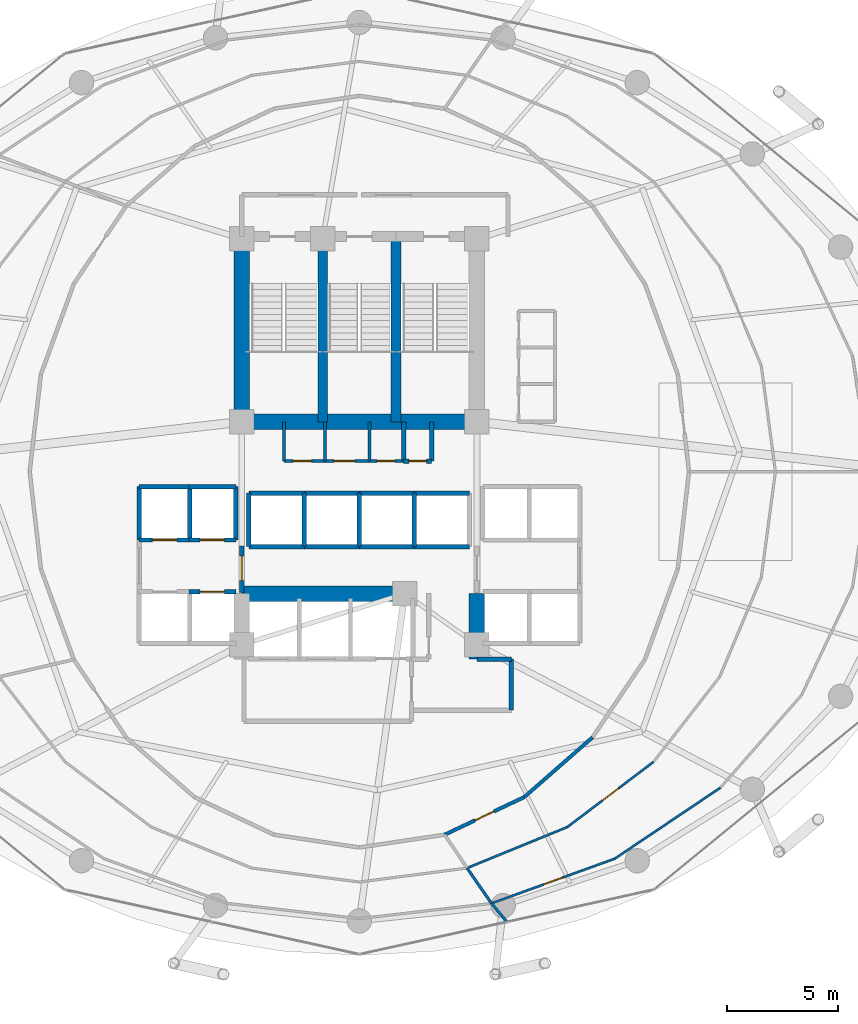
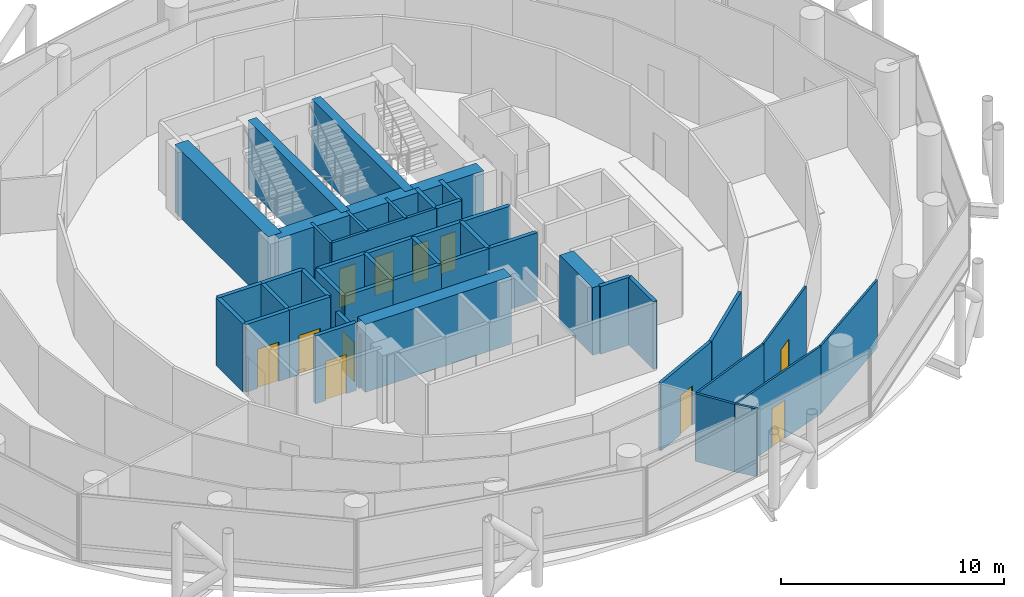
# One storey, part 22 of 27: 44 walls, 11 doors, 11 openings.
"""IFC4 building model written with IfcOpenShell, lengths in metres."""

from ifc_helpers import new_model, si_unit, direction, frame, frame_2d, origin, place, context, subcontext, project, spatial, rectangle, extrude, material, layer, layer_set, type_object, element, fill, save


model = new_model("IFC4")

# Units and contexts
model_context = context("Model", 3, precision=1e-05, world=origin(), true_north=direction((0.0, 1.0)))
body_context = subcontext(model_context, "Body", "Model", "MODEL_VIEW")
ifc_project = project(units=[si_unit("LENGTHUNIT", "METRE"), si_unit("AREAUNIT", "SQUARE_METRE"), si_unit("VOLUMEUNIT", "CUBIC_METRE"), si_unit("PLANEANGLEUNIT", "RADIAN"), si_unit("MASSUNIT", "GRAM", prefix="KILO")], contexts=[model_context])

# Site, building, storey
site_placement = place(None, origin())
site = spatial("IfcSite", under=ifc_project, at=site_placement, CompositionType="ELEMENT")
building_placement = place(site_placement, origin())
building = spatial("IfcBuilding", under=site, at=building_placement, Name="Nuhasar Tower", CompositionType="ELEMENT")
storey_placement = place(building_placement, frame((0.0, 0.0, 102.0)))
storey = spatial("IfcBuildingStorey", under=building, at=storey_placement, Name="L24", CompositionType="ELEMENT", Elevation=102.0)

# Walls
ifc_material_1 = material(Name="Concrete C50/60", Category="concrete")
ifc_layer_1 = layer(ifc_material_1, 0.449951171875)
ifc_layer_set_1 = layer_set([ifc_layer_1], Name="Concrete C50/60")
wall_type_1 = type_object("IfcWallType", Name="WL-CORE-450", PredefinedType="SHEAR", material=ifc_layer_set_1)
for number, where, z_axis, x_axis, name in (
    (1, (37.35009765625, 29.050048828125, 0.0), (0.0, 0.0, 1.0), (0.0, 1.0, 0.0), "L24 Stairwell Shear Wall ST01-E"),
    (2, (40.64990234375, 29.050048828125, 0.0), (0.0, 0.0, 1.0), (0.0, 1.0, 0.0), "L24 Stairwell Shear Wall ST03-E"),
):
    element("IfcWall", number, at=place(storey_placement, frame(where, z_axis=z_axis, x_axis=x_axis)), inside=storey, type_object=wall_type_1, Name=name, PredefinedType="SHEAR", context=body_context, shape_type="SweptSolid", body=[
        extrude(rectangle(XDim=8.349853515625, YDim=0.449951171875, at=frame_2d((4.1748046875, 0.0))), origin(), (0.0, 0.0, 1.0), 3.699951171875),
    ])
ifc_material_2 = material(Name="Concrete C65/80", Category="concrete")
ifc_layer_2 = layer(ifc_material_2, 0.699951171875)
ifc_layer_set_2 = layer_set([ifc_layer_2], Name="Concrete C65/80")
wall_type_2 = type_object("IfcWallType", Name="WL-CORE-700", PredefinedType="SHEAR", material=ifc_layer_set_2)
wall_1_placement = place(storey_placement, frame((33.699951171875, 29.050048828125, 0.0), z_axis=(0.0, 0.0, 1.0), x_axis=(0.0, 1.0, 0.0)))
element("IfcWall", 3, at=wall_1_placement, inside=storey, type_object=wall_type_2, Name="L24 Core Shear Wall CW-NW CW-700", PredefinedType="SHEAR", context=body_context, shape_type="SweptSolid", body=[
    extrude(rectangle(XDim=8.349853515625, YDim=0.699951171875, at=frame_2d((4.1748046875, 0.0))), origin(), (0.0, 0.0, 1.0), 3.699951171875),
])
wall_2_placement = place(storey_placement, frame((44.300048828125, 18.35009765625, 0.0), z_axis=(0.0, 0.0, 1.0), x_axis=(0.0, 1.0, 0.0)))
element("IfcWall", 4, at=wall_2_placement, inside=storey, type_object=wall_type_2, Name="L24 Core Shear Wall CW-SE CW-700", PredefinedType="SHEAR", context=body_context, shape_type="SweptSolid", body=[
    extrude(rectangle(XDim=2.949951171875, YDim=0.699951171875, at=frame_2d((1.47509765625, 0.0))), origin(), (0.0, 0.0, 1.0), 3.699951171875),
])
wall_3_placement = place(storey_placement, frame((33.699951171875, 29.050048828125, 0.0), z_axis=(0.0, 0.0, 1.0), x_axis=(1.0, 0.0, 0.0)))
element("IfcWall", 5, at=wall_3_placement, inside=storey, type_object=wall_type_2, Name="L24 Core Shear Wall CW-N1 CW-700", PredefinedType="SHEAR", context=body_context, shape_type="SweptSolid", body=[
    extrude(rectangle(XDim=10.60009765625, YDim=0.699951171875, at=frame_2d((5.300048828125, 0.0))), origin(), (0.0, 0.0, 1.0), 3.699951171875),
])
wall_4_placement = place(storey_placement, frame((33.699951171875, 21.300048828125, 0.0), z_axis=(0.0, 0.0, 1.0), x_axis=(1.0, 0.0, 0.0)))
element("IfcWall", 6, at=wall_4_placement, inside=storey, type_object=wall_type_2, Name="L24 Core Shear Wall CW-S1 CW-700", PredefinedType="SHEAR", context=body_context, shape_type="SweptSolid", body=[
    extrude(rectangle(XDim=7.550048828125, YDim=0.699951171875, at=frame_2d((3.77490234375, 0.0))), origin(), (0.0, 0.0, 1.0), 3.699951171875),
])

# Wall, opening, door
ifc_material_3 = material(Name="Gypsum Board", Category="gypsum")
ifc_layer_3 = layer(ifc_material_3, 0.159912109375)
ifc_layer_set_3 = layer_set([ifc_layer_3], Name="Gypsum Board")
wall_type_3 = type_object("IfcWallType", Name="WL-CORR-160", PredefinedType="PARTITIONING", material=ifc_layer_set_3)
wall_5_placement = place(storey_placement, frame((46.429931640625, 12.1298828125, 0.0), z_axis=(0.0, 0.0, 1.0), x_axis=(-0.904206361714, -0.427095838701, 0.0)))
wall_5 = element("IfcWall", 7, at=wall_5_placement, inside=storey, type_object=wall_type_3, Name="L24 Interior Partition CORR-38", PredefinedType="PARTITIONING", context=body_context, shape_type="SweptSolid", body=[
    extrude(rectangle(XDim=3.963623046875, YDim=0.159912109375, at=frame_2d((1.98193359375, 0.0))), origin(), (0.0, 0.0, 1.0), 3.699951171875),
])
opening_1_placement = place(wall_5_placement, frame((1.507080078125, 0.0, 0.0)))
opening_1 = element("IfcOpeningElement", 8, at=opening_1_placement, cuts=wall_5, Name="Opening DO-01", PredefinedType="OPENING", context=body_context, shape_type="SweptSolid", body=[
    extrude(rectangle(XDim=0.949951171875, YDim=2.14990234375, at=frame_2d((0.47509765625, 1.074951171875))), frame((0.0, 0.08984375, 0.0), z_axis=(0.0, -1.0, 0.0), x_axis=(1.0, 0.0, 0.0)), (0.0, 0.0, 1.0), 0.179931640625),
])
ifc_material_4 = material(Name="Timber Oak", Category="wood")
door_type_1 = type_object("IfcDoorType", Name="DR-OFFICE-FD30-950", OperationType="NOTDEFINED", PredefinedType="DOOR", material=ifc_material_4)
door_1_placement = place(opening_1_placement, origin())
door_1 = element("IfcDoor", 9, at=door_1_placement, inside=storey, type_object=door_type_1, Name="L24 Private Chef Pantry Entry Door", OperationType="SINGLE_SWING_RIGHT", OverallHeight=2.14990234375, OverallWidth=0.949951171875, PredefinedType="DOOR", context=body_context, shape_type="SweptSolid", body=[
    extrude(rectangle(XDim=0.949951171875, YDim=2.14990234375, at=frame_2d((0.47509765625, 1.074951171875))), frame((0.0, 0.02490234375, 0.0), z_axis=(0.0, -1.0, 0.0), x_axis=(1.0, 0.0, 0.0)), (0.0, 0.0, 1.0), 0.050048828125),
])
fill(opening_1, door_1)

# Wall
wall_6_placement = place(storey_placement, frame((46.429931640625, 12.1298828125, 0.0), z_axis=(0.0, 0.0, 1.0), x_axis=(0.752724610228, 0.658335523238, 0.0)))
element("IfcWall", 10, at=wall_6_placement, inside=storey, type_object=wall_type_3, Name="L24 Interior Partition CORR-40", PredefinedType="PARTITIONING", context=body_context, shape_type="SweptSolid", body=[
    extrude(rectangle(XDim=4.08935546875, YDim=0.159912109375, at=frame_2d((2.044677734375, 0.0))), origin(), (0.0, 0.0, 1.0), 3.699951171875),
])

# Wall, opening, door
ifc_material_5 = material(Name="Concrete C45/55", Category="concrete")
ifc_layer_4 = layer(ifc_material_5, 0.199951171875)
ifc_layer_set_4 = layer_set([ifc_layer_4], Name="Concrete C45/55")
wall_type_4 = type_object("IfcWallType", Name="WL-LOBBY-200", PredefinedType="SOLIDWALL", material=ifc_layer_set_4)
wall_7_placement = place(storey_placement, frame((33.699951171875, 21.35009765625, 0.0), z_axis=(0.0, 0.0, 1.0), x_axis=(0.0, 1.0, 0.0)))
wall_7 = element("IfcWall", 11, at=wall_7_placement, inside=storey, type_object=wall_type_4, Name="L24 Interior Partition LLBH-W", PredefinedType="SOLIDWALL", context=body_context, shape_type="SweptSolid", body=[
    extrude(rectangle(XDim=2.099853515625, YDim=0.199951171875, at=frame_2d((1.0498046875, 0.0))), origin(), (0.0, 0.0, 1.0), 2.919921875),
])
opening_2_placement = place(wall_7_placement, frame((0.550048828125, 0.0, 0.0)))
opening_2 = element("IfcOpeningElement", 12, at=opening_2_placement, cuts=wall_7, Name="Opening DS-02", PredefinedType="OPENING", context=body_context, shape_type="SweptSolid", body=[
    extrude(rectangle(XDim=1.10009765625, YDim=2.14990234375, at=frame_2d((0.550048828125, 1.074951171875))), frame((0.0, 0.10986328125, 0.0), z_axis=(0.0, -1.0, 0.0), x_axis=(1.0, 0.0, 0.0)), (0.0, 0.0, 1.0), 0.219970703125),
])
ifc_material_6 = material(Name="Steel S355", Category="steel")
door_type_2 = type_object("IfcDoorType", Name="DR-FFL-FD120-1100", OperationType="NOTDEFINED", PredefinedType="DOOR", material=ifc_material_6)
door_2_placement = place(opening_2_placement, origin())
door_2 = element("IfcDoor", 13, at=door_2_placement, inside=storey, type_object=door_type_2, Name="L24 High-Rise Lobby West Door", OperationType="SINGLE_SWING_RIGHT", OverallHeight=2.14990234375, OverallWidth=1.10009765625, PredefinedType="DOOR", context=body_context, shape_type="SweptSolid", body=[
    extrude(rectangle(XDim=1.10009765625, YDim=2.14990234375, at=frame_2d((0.550048828125, 1.074951171875))), frame((0.0, 0.02490234375, 0.0), z_axis=(0.0, -1.0, 0.0), x_axis=(1.0, 0.0, 0.0)), (0.0, 0.0, 1.0), 0.050048828125),
])
fill(opening_2, door_2)

# Walls
wall_8_placement = place(storey_placement, frame((45.85009765625, 16.050048828125, 0.0), z_axis=(0.0, 0.0, 1.0), x_axis=(0.0, 1.0, 0.0)))
element("IfcWall", 14, at=wall_8_placement, inside=storey, type_object=wall_type_4, Name="L24 Interior Partition SVLV-E", PredefinedType="SOLIDWALL", context=body_context, shape_type="SweptSolid", body=[
    extrude(rectangle(XDim=2.300048828125, YDim=0.199951171875, at=frame_2d((1.14990234375, 0.0))), origin(), (0.0, 0.0, 1.0), 3.699951171875),
])
wall_9_placement = place(storey_placement, frame((44.300048828125, 18.35009765625, 0.0), z_axis=(0.0, 0.0, 1.0), x_axis=(1.0, 0.0, 0.0)))
element("IfcWall", 15, at=wall_9_placement, inside=storey, type_object=wall_type_4, Name="L24 Interior Partition SVLV-N", PredefinedType="SOLIDWALL", context=body_context, shape_type="SweptSolid", body=[
    extrude(rectangle(XDim=1.550048828125, YDim=0.199951171875, at=frame_2d((0.77490234375, 0.0))), origin(), (0.0, 0.0, 1.0), 3.699951171875),
])
ifc_material_7 = material(Name="Aluminium 6063-T6", Category="aluminium")
ifc_layer_5 = layer(ifc_material_7, 0.10009765625)
ifc_layer_set_5 = layer_set([ifc_layer_5], Name="Aluminium 6063-T6")
wall_type_5 = type_object("IfcWallType", Name="WL-MOVABLE-100", PredefinedType="MOVABLE", material=ifc_layer_set_5)
wall_10_placement = place(storey_placement, frame((43.85400390625, 8.93408203125, 0.0), z_axis=(0.0, 0.0, 1.0), x_axis=(0.925718788243, 0.378212539577, 0.0)))
element("IfcWall", 16, at=wall_10_placement, inside=storey, type_object=wall_type_5, Name="L24 Interior Partition OR1-05-38", PredefinedType="MOVABLE", context=body_context, shape_type="SweptSolid", body=[
    extrude(rectangle(XDim=4.885986328125, YDim=0.10009765625, at=frame_2d((2.44287109375, 0.0))), origin(), (0.0, 0.0, 1.0), 3.699951171875),
])

# Wall, opening, door
wall_11_placement = place(storey_placement, frame((48.376953125, 10.781982421875, 0.0), z_axis=(0.0, 0.0, 1.0), x_axis=(0.797509354447, 0.603306580081, 0.0)))
wall_11 = element("IfcWall", 17, at=wall_11_placement, inside=storey, type_object=wall_type_5, Name="L24 Interior Partition OR1-05-40", PredefinedType="MOVABLE", context=body_context, shape_type="SweptSolid", body=[
    extrude(rectangle(XDim=4.871337890625, YDim=0.10009765625, at=frame_2d((2.435546875, 0.0))), origin(), (0.0, 0.0, 1.0), 3.699951171875),
])
opening_3_placement = place(wall_11_placement, frame((1.986083984375, 0.0, 0.0)))
opening_3 = element("IfcOpeningElement", 18, at=opening_3_placement, cuts=wall_11, Name="Opening DR-01", PredefinedType="OPENING", context=body_context, shape_type="SweptSolid", body=[
    extrude(rectangle(XDim=0.89990234375, YDim=2.10009765625, at=frame_2d((0.449951171875, 1.050048828125))), frame((0.0, 0.06005859375, 0.0), z_axis=(0.0, -1.0, 0.0), x_axis=(1.0, 0.0, 0.0)), (0.0, 0.0, 1.0), 0.1201171875),
])
door_type_3 = type_object("IfcDoorType", Name="DR-ROOM-900", OperationType="NOTDEFINED", PredefinedType="DOOR", material=ifc_material_4)
door_3_placement = place(opening_3_placement, origin())
door_3 = element("IfcDoor", 19, at=door_3_placement, inside=storey, type_object=door_type_3, Name="L24 Private Chef Pantry Mid Door", OperationType="SINGLE_SWING_LEFT", OverallHeight=2.10009765625, OverallWidth=0.89990234375, PredefinedType="DOOR", context=body_context, shape_type="SweptSolid", body=[
    extrude(rectangle(XDim=0.89990234375, YDim=2.10009765625, at=frame_2d((0.449951171875, 1.050048828125))), frame((0.0, 0.02490234375, 0.0), z_axis=(0.0, -1.0, 0.0), x_axis=(1.0, 0.0, 0.0)), (0.0, 0.0, 1.0), 0.050048828125),
])
fill(opening_3, door_3)

wall_12_placement = place(storey_placement, frame((44.95703125, 7.341064453125, 0.0), z_axis=(0.0, 0.0, 1.0), x_axis=(0.940117685929, 0.340850020689, 0.0)))
wall_12 = element("IfcWall", 20, at=wall_12_placement, inside=storey, type_object=wall_type_5, Name="L24 Interior Partition OR2-05-38", PredefinedType="MOVABLE", context=body_context, shape_type="SweptSolid", body=[
    extrude(rectangle(XDim=5.90576171875, YDim=0.10009765625, at=frame_2d((2.952880859375, 0.0))), origin(), (0.0, 0.0, 1.0), 3.699951171875),
])
opening_4_placement = place(wall_12_placement, frame((2.5029296875, 0.0, 0.0)))
opening_4 = element("IfcOpeningElement", 21, at=opening_4_placement, cuts=wall_12, Name="Opening DR-01", PredefinedType="OPENING", context=body_context, shape_type="SweptSolid", body=[
    extrude(rectangle(XDim=0.89990234375, YDim=2.10009765625, at=frame_2d((0.449951171875, 1.050048828125))), frame((0.0, 0.06005859375, 0.0), z_axis=(0.0, -1.0, 0.0), x_axis=(1.0, 0.0, 0.0)), (0.0, 0.0, 1.0), 0.1201171875),
])
door_4_placement = place(opening_4_placement, origin())
door_4 = element("IfcDoor", 22, at=door_4_placement, inside=storey, type_object=door_type_3, Name="L24 Private Chef Pantry Outer Door", OperationType="SINGLE_SWING_LEFT", OverallHeight=2.10009765625, OverallWidth=0.89990234375, PredefinedType="DOOR", context=body_context, shape_type="SweptSolid", body=[
    extrude(rectangle(XDim=0.89990234375, YDim=2.10009765625, at=frame_2d((0.449951171875, 1.050048828125))), frame((0.0, 0.02490234375, 0.0), z_axis=(0.0, -1.0, 0.0), x_axis=(1.0, 0.0, 0.0)), (0.0, 0.0, 1.0), 0.050048828125),
])
fill(opening_4, door_4)

# Walls
wall_13_placement = place(storey_placement, frame((50.509033203125, 9.35400390625, 0.0), z_axis=(0.0, 0.0, 1.0), x_axis=(0.830194424377, 0.557473961485, 0.0)))
element("IfcWall", 23, at=wall_13_placement, inside=storey, type_object=wall_type_5, Name="L24 Interior Partition OR2-05-40", PredefinedType="MOVABLE", context=body_context, shape_type="SweptSolid", body=[
    extrude(rectangle(XDim=5.741943359375, YDim=0.10009765625, at=frame_2d((2.87109375, 0.0))), origin(), (0.0, 0.0, 1.0), 3.699951171875),
])
ifc_layer_6 = layer(ifc_material_3, 0.125)
ifc_layer_set_6 = layer_set([ifc_layer_6], Name="Gypsum Board")
wall_type_6 = type_object("IfcWallType", Name="WL-PART-125", PredefinedType="PARTITIONING", material=ifc_layer_set_6)
wall_14_placement = place(storey_placement, frame((43.85400390625, 8.93408203125, 0.0), z_axis=(0.0, 0.0, 1.0), x_axis=(0.569268945464, -0.822151365461, 0.0)))
element("IfcWall", 24, at=wall_14_placement, inside=storey, type_object=wall_type_6, Name="L24 Interior Partition ORAD7-38-S2", PredefinedType="PARTITIONING", context=body_context, shape_type="SweptSolid", body=[
    extrude(rectangle(XDim=1.9375, YDim=0.125, at=frame_2d((0.96875, 0.0))), origin(), (0.0, 0.0, 1.0), 3.699951171875),
])
wall_15_placement = place(storey_placement, frame((44.95703125, 7.341064453125, 0.0), z_axis=(0.0, 0.0, 1.0), x_axis=(0.639729139547, -0.768600434566, 0.0)))
element("IfcWall", 25, at=wall_15_placement, inside=storey, type_object=wall_type_6, Name="L24 Interior Partition ORAD7-38-S3", PredefinedType="PARTITIONING", context=body_context, shape_type="SweptSolid", body=[
    extrude(rectangle(XDim=1.05517578125, YDim=0.125, at=frame_2d((0.527587890625, 0.0))), origin(), (0.0, 0.0, 1.0), 3.699951171875),
])
ifc_layer_7 = layer(ifc_material_5, 0.199951171875)
ifc_layer_set_7 = layer_set([ifc_layer_7], Name="Concrete C45/55")
wall_type_7 = type_object("IfcWallType", Name="WL-SHAFT-200", PredefinedType="SOLIDWALL", material=ifc_layer_set_7)
for number, where, z_axis, x_axis, name in (
    (26, (41.0, 27.280029296875, 0.0), (0.0, 0.0, 1.0), (0.0, 1.0, 0.0), "L24 Interior Partition RSRN-W"),
    (27, (42.260009765625, 27.280029296875, 0.0), (0.0, 0.0, 1.0), (0.0, 1.0, 0.0), "L24 Interior Partition RSRN-E"),
):
    element("IfcWall", number, at=place(storey_placement, frame(where, z_axis=z_axis, x_axis=x_axis)), inside=storey, type_object=wall_type_7, Name=name, PredefinedType="SOLIDWALL", context=body_context, shape_type="SweptSolid", body=[
        extrude(rectangle(XDim=1.77001953125, YDim=0.199951171875, at=frame_2d((0.885009765625, 0.0))), origin(), (0.0, 0.0, 1.0), 3.699951171875),
    ])

# Wall, opening, door
wall_16_placement = place(storey_placement, frame((41.0, 27.280029296875, 0.0), z_axis=(0.0, 0.0, 1.0), x_axis=(1.0, 0.0, 0.0)))
wall_16 = element("IfcWall", 28, at=wall_16_placement, inside=storey, type_object=wall_type_7, Name="L24 Interior Partition RSRN-S", PredefinedType="SOLIDWALL", context=body_context, shape_type="SweptSolid", body=[
    extrude(rectangle(XDim=1.260009765625, YDim=0.199951171875, at=frame_2d((0.6298828125, 0.0))), origin(), (0.0, 0.0, 1.0), 3.699951171875),
])
opening_5_placement = place(wall_16_placement, frame((0.22998046875, 0.0, 0.0)))
opening_5 = element("IfcOpeningElement", 29, at=opening_5_placement, cuts=wall_16, Name="Opening DM-01", PredefinedType="OPENING", context=body_context, shape_type="SweptSolid", body=[
    extrude(rectangle(XDim=0.800048828125, YDim=2.050048828125, at=frame_2d((0.39990234375, 1.02490234375))), frame((0.0, 0.10986328125, 0.0), z_axis=(0.0, -1.0, 0.0), x_axis=(1.0, 0.0, 0.0)), (0.0, 0.0, 1.0), 0.219970703125),
])
door_type_4 = type_object("IfcDoorType", Name="DR-RISER-FD60-800", OperationType="NOTDEFINED", PredefinedType="DOOR", material=ifc_material_6)
door_5_placement = place(opening_5_placement, origin())
door_5 = element("IfcDoor", 30, at=door_5_placement, inside=storey, type_object=door_type_4, Name="L24 North Smoke Riser Door", OperationType="SINGLE_SWING_RIGHT", OverallHeight=2.050048828125, OverallWidth=0.800048828125, PredefinedType="DOOR", context=body_context, shape_type="SweptSolid", body=[
    extrude(rectangle(XDim=0.800048828125, YDim=2.050048828125, at=frame_2d((0.39990234375, 1.02490234375))), frame((0.0, 0.02490234375, 0.0), z_axis=(0.0, -1.0, 0.0), x_axis=(1.0, 0.0, 0.0)), (0.0, 0.0, 1.0), 0.050048828125),
])
fill(opening_5, door_5)

wall_17_placement = place(storey_placement, frame((29.070068359375, 23.719970703125, 0.0), z_axis=(0.0, 0.0, 1.0), x_axis=(1.0, 0.0, 0.0)))
wall_17 = element("IfcWall", 31, at=wall_17_placement, inside=storey, type_object=wall_type_7, Name="L24 Interior Partition SHF-PL-L01-S", PredefinedType="SOLIDWALL", context=body_context, shape_type="SweptSolid", body=[
    extrude(rectangle(XDim=2.309814453125, YDim=0.199951171875, at=frame_2d((1.15478515625, 0.0))), origin(), (0.0, 0.0, 1.0), 3.699951171875),
])
opening_6_placement = place(wall_17_placement, frame((0.60498046875, 0.0, 0.0)))
opening_6 = element("IfcOpeningElement", 32, at=opening_6_placement, cuts=wall_17, Name="Opening LD-L01", PredefinedType="OPENING", context=body_context, shape_type="SweptSolid", body=[
    extrude(rectangle(XDim=1.10009765625, YDim=2.14990234375, at=frame_2d((0.550048828125, 1.074951171875))), frame((0.0, 0.10986328125, 0.0), z_axis=(0.0, -1.0, 0.0), x_axis=(1.0, 0.0, 0.0)), (0.0, 0.0, 1.0), 0.219970703125),
])
ifc_material_8 = material(Name="Stainless Steel 316L", Category="steel")
door_type_5 = type_object("IfcDoorType", Name="LD-PAX-1100", OperationType="DOUBLE_DOOR_SLIDING", PredefinedType="DOOR", material=ifc_material_8)
door_6_placement = place(opening_6_placement, origin())
door_6 = element("IfcDoor", 33, at=door_6_placement, inside=storey, type_object=door_type_5, Name="L24 Lift Landing Door PL-L01", OperationType="DOUBLE_DOOR_SLIDING", OverallHeight=2.14990234375, OverallWidth=1.10009765625, PredefinedType="DOOR", context=body_context, shape_type="SweptSolid", body=[
    extrude(rectangle(XDim=1.10009765625, YDim=2.14990234375, at=frame_2d((0.550048828125, 1.074951171875))), frame((0.0, 0.02490234375, 0.0), z_axis=(0.0, -1.0, 0.0), x_axis=(1.0, 0.0, 0.0)), (0.0, 0.0, 1.0), 0.050048828125),
])
fill(opening_6, door_6)

# Walls
wall_18_placement = place(storey_placement, frame((29.070068359375, 26.1298828125, 0.0), z_axis=(0.0, 0.0, 1.0), x_axis=(1.0, 0.0, 0.0)))
element("IfcWall", 34, at=wall_18_placement, inside=storey, type_object=wall_type_7, Name="L24 Interior Partition SHF-PL-L01-N", PredefinedType="SOLIDWALL", context=body_context, shape_type="SweptSolid", body=[
    extrude(rectangle(XDim=2.309814453125, YDim=0.199951171875, at=frame_2d((1.15478515625, 0.0))), origin(), (0.0, 0.0, 1.0), 3.699951171875),
])
for number, where, z_axis, x_axis, name in (
    (35, (29.070068359375, 23.719970703125, 0.0), (0.0, 0.0, 1.0), (0.0, 1.0, 0.0), "L24 Interior Partition SHF-PL-L01-W"),
    (36, (31.35009765625, 23.719970703125, 0.0), (0.0, 0.0, 1.0), (0.0, 1.0, 0.0), "L24 Interior Partition SHF-PL-L01-E"),
):
    element("IfcWall", number, at=place(storey_placement, frame(where, z_axis=z_axis, x_axis=x_axis)), inside=storey, type_object=wall_type_7, Name=name, PredefinedType="SOLIDWALL", context=body_context, shape_type="SweptSolid", body=[
        extrude(rectangle(XDim=2.409912109375, YDim=0.199951171875, at=frame_2d((1.205078125, 0.0))), origin(), (0.0, 0.0, 1.0), 3.699951171875),
    ])

# Wall, opening, door
wall_19_placement = place(storey_placement, frame((31.320068359375, 23.719970703125, 0.0), z_axis=(0.0, 0.0, 1.0), x_axis=(1.0, 0.0, 0.0)))
wall_19 = element("IfcWall", 37, at=wall_19_placement, inside=storey, type_object=wall_type_7, Name="L24 Interior Partition SHF-PL-L02-S", PredefinedType="SOLIDWALL", context=body_context, shape_type="SweptSolid", body=[
    extrude(rectangle(XDim=2.10986328125, YDim=0.199951171875, at=frame_2d((1.054931640625, 0.0))), origin(), (0.0, 0.0, 1.0), 3.699951171875),
])
opening_7_placement = place(wall_19_placement, frame((0.5048828125, 0.0, 0.0)))
opening_7 = element("IfcOpeningElement", 38, at=opening_7_placement, cuts=wall_19, Name="Opening LD-L02", PredefinedType="OPENING", context=body_context, shape_type="SweptSolid", body=[
    extrude(rectangle(XDim=1.10009765625, YDim=2.14990234375, at=frame_2d((0.550048828125, 1.074951171875))), frame((0.0, 0.10986328125, 0.0), z_axis=(0.0, -1.0, 0.0), x_axis=(1.0, 0.0, 0.0)), (0.0, 0.0, 1.0), 0.219970703125),
])
door_7_placement = place(opening_7_placement, origin())
door_7 = element("IfcDoor", 39, at=door_7_placement, inside=storey, type_object=door_type_5, Name="L24 Lift Landing Door PL-L02", OperationType="DOUBLE_DOOR_SLIDING", OverallHeight=2.14990234375, OverallWidth=1.10009765625, PredefinedType="DOOR", context=body_context, shape_type="SweptSolid", body=[
    extrude(rectangle(XDim=1.10009765625, YDim=2.14990234375, at=frame_2d((0.550048828125, 1.074951171875))), frame((0.0, 0.02490234375, 0.0), z_axis=(0.0, -1.0, 0.0), x_axis=(1.0, 0.0, 0.0)), (0.0, 0.0, 1.0), 0.050048828125),
])
fill(opening_7, door_7)

# Walls
wall_20_placement = place(storey_placement, frame((31.320068359375, 26.1298828125, 0.0), z_axis=(0.0, 0.0, 1.0), x_axis=(1.0, 0.0, 0.0)))
element("IfcWall", 40, at=wall_20_placement, inside=storey, type_object=wall_type_7, Name="L24 Interior Partition SHF-PL-L02-N", PredefinedType="SOLIDWALL", context=body_context, shape_type="SweptSolid", body=[
    extrude(rectangle(XDim=2.10986328125, YDim=0.199951171875, at=frame_2d((1.054931640625, 0.0))), origin(), (0.0, 0.0, 1.0), 3.699951171875),
])
wall_21_placement = place(storey_placement, frame((33.429931640625, 23.719970703125, 0.0), z_axis=(0.0, 0.0, 1.0), x_axis=(0.0, 1.0, 0.0)))
element("IfcWall", 41, at=wall_21_placement, inside=storey, type_object=wall_type_7, Name="L24 Interior Partition SHF-PL-L02-E", PredefinedType="SOLIDWALL", context=body_context, shape_type="SweptSolid", body=[
    extrude(rectangle(XDim=2.409912109375, YDim=0.199951171875, at=frame_2d((1.205078125, 0.0))), origin(), (0.0, 0.0, 1.0), 3.699951171875),
])

# Wall, opening, door
wall_22_placement = place(storey_placement, frame((31.320068359375, 21.3798828125, 0.0), z_axis=(0.0, 0.0, 1.0), x_axis=(1.0, 0.0, 0.0)))
wall_22 = element("IfcWall", 42, at=wall_22_placement, inside=storey, type_object=wall_type_7, Name="L24 Interior Partition SHF-PL-L04-N", PredefinedType="SOLIDWALL", context=body_context, shape_type="SweptSolid", body=[
    extrude(rectangle(XDim=2.10986328125, YDim=0.199951171875, at=frame_2d((1.054931640625, 0.0))), origin(), (0.0, 0.0, 1.0), 3.699951171875),
])
opening_8_placement = place(wall_22_placement, frame((0.5048828125, 0.0, 0.0)))
opening_8 = element("IfcOpeningElement", 43, at=opening_8_placement, cuts=wall_22, Name="Opening LD-L04", PredefinedType="OPENING", context=body_context, shape_type="SweptSolid", body=[
    extrude(rectangle(XDim=1.10009765625, YDim=2.14990234375, at=frame_2d((0.550048828125, 1.074951171875))), frame((0.0, 0.10986328125, 0.0), z_axis=(0.0, -1.0, 0.0), x_axis=(1.0, 0.0, 0.0)), (0.0, 0.0, 1.0), 0.219970703125),
])
door_8_placement = place(opening_8_placement, origin())
door_8 = element("IfcDoor", 44, at=door_8_placement, inside=storey, type_object=door_type_5, Name="L24 Lift Landing Door PL-L04", OperationType="DOUBLE_DOOR_SLIDING", OverallHeight=2.14990234375, OverallWidth=1.10009765625, PredefinedType="DOOR", context=body_context, shape_type="SweptSolid", body=[
    extrude(rectangle(XDim=1.10009765625, YDim=2.14990234375, at=frame_2d((0.550048828125, 1.074951171875))), frame((0.0, 0.02490234375, 0.0), z_axis=(0.0, -1.0, 0.0), x_axis=(1.0, 0.0, 0.0)), (0.0, 0.0, 1.0), 0.050048828125),
])
fill(opening_8, door_8)

# Walls
for number, where, z_axis, x_axis, name in (
    (45, (34.02001953125, 23.419921875, 0.0), (0.0, 0.0, 1.0), (1.0, 0.0, 0.0), "L24 Interior Partition SHF-PL-H01-S"),
    (46, (34.02001953125, 25.830078125, 0.0), (0.0, 0.0, 1.0), (1.0, 0.0, 0.0), "L24 Interior Partition SHF-PL-H01-N"),
):
    element("IfcWall", number, at=place(storey_placement, frame(where, z_axis=z_axis, x_axis=x_axis)), inside=storey, type_object=wall_type_7, Name=name, PredefinedType="SOLIDWALL", context=body_context, shape_type="SweptSolid", body=[
        extrude(rectangle(XDim=2.5, YDim=0.199951171875, at=frame_2d((1.25, 0.0))), origin(), (0.0, 0.0, 1.0), 3.699951171875),
    ])
for number, where, z_axis, x_axis, name in (
    (47, (34.02001953125, 23.419921875, 0.0), (0.0, 0.0, 1.0), (0.0, 1.0, 0.0), "L24 Interior Partition SHF-PL-H01-W"),
    (48, (36.510009765625, 23.419921875, 0.0), (0.0, 0.0, 1.0), (0.0, 1.0, 0.0), "L24 Interior Partition SHF-PL-H01-E"),
):
    element("IfcWall", number, at=place(storey_placement, frame(where, z_axis=z_axis, x_axis=x_axis)), inside=storey, type_object=wall_type_7, Name=name, PredefinedType="SOLIDWALL", context=body_context, shape_type="SweptSolid", body=[
        extrude(rectangle(XDim=2.41015625, YDim=0.199951171875, at=frame_2d((1.205078125, 0.0))), origin(), (0.0, 0.0, 1.0), 3.699951171875),
    ])
for number, where, z_axis, x_axis, name in (
    (49, (36.5, 23.419921875, 0.0), (0.0, 0.0, 1.0), (1.0, 0.0, 0.0), "L24 Interior Partition SHF-PL-H02-S"),
    (50, (36.5, 25.830078125, 0.0), (0.0, 0.0, 1.0), (1.0, 0.0, 0.0), "L24 Interior Partition SHF-PL-H02-N"),
):
    element("IfcWall", number, at=place(storey_placement, frame(where, z_axis=z_axis, x_axis=x_axis)), inside=storey, type_object=wall_type_7, Name=name, PredefinedType="SOLIDWALL", context=body_context, shape_type="SweptSolid", body=[
        extrude(rectangle(XDim=2.5, YDim=0.199951171875, at=frame_2d((1.25, 0.0))), origin(), (0.0, 0.0, 1.0), 3.699951171875),
    ])
wall_23_placement = place(storey_placement, frame((38.989990234375, 23.419921875, 0.0), z_axis=(0.0, 0.0, 1.0), x_axis=(0.0, 1.0, 0.0)))
element("IfcWall", 51, at=wall_23_placement, inside=storey, type_object=wall_type_7, Name="L24 Interior Partition SHF-PL-H02-E", PredefinedType="SOLIDWALL", context=body_context, shape_type="SweptSolid", body=[
    extrude(rectangle(XDim=2.41015625, YDim=0.199951171875, at=frame_2d((1.205078125, 0.0))), origin(), (0.0, 0.0, 1.0), 3.699951171875),
])
for number, where, z_axis, x_axis, name in (
    (52, (38.97998046875, 23.419921875, 0.0), (0.0, 0.0, 1.0), (1.0, 0.0, 0.0), "L24 Interior Partition SHF-PL-H03-S"),
    (53, (38.97998046875, 25.830078125, 0.0), (0.0, 0.0, 1.0), (1.0, 0.0, 0.0), "L24 Interior Partition SHF-PL-H03-N"),
):
    element("IfcWall", number, at=place(storey_placement, frame(where, z_axis=z_axis, x_axis=x_axis)), inside=storey, type_object=wall_type_7, Name=name, PredefinedType="SOLIDWALL", context=body_context, shape_type="SweptSolid", body=[
        extrude(rectangle(XDim=2.5, YDim=0.199951171875, at=frame_2d((1.25, 0.0))), origin(), (0.0, 0.0, 1.0), 3.699951171875),
    ])
wall_24_placement = place(storey_placement, frame((41.469970703125, 23.419921875, 0.0), z_axis=(0.0, 0.0, 1.0), x_axis=(0.0, 1.0, 0.0)))
element("IfcWall", 54, at=wall_24_placement, inside=storey, type_object=wall_type_7, Name="L24 Interior Partition SHF-PL-H03-E", PredefinedType="SOLIDWALL", context=body_context, shape_type="SweptSolid", body=[
    extrude(rectangle(XDim=2.41015625, YDim=0.199951171875, at=frame_2d((1.205078125, 0.0))), origin(), (0.0, 0.0, 1.0), 3.699951171875),
])
for number, where, z_axis, x_axis, name in (
    (55, (41.4599609375, 23.419921875, 0.0), (0.0, 0.0, 1.0), (1.0, 0.0, 0.0), "L24 Interior Partition SHF-PL-H04-S"),
    (56, (41.4599609375, 25.830078125, 0.0), (0.0, 0.0, 1.0), (1.0, 0.0, 0.0), "L24 Interior Partition SHF-PL-H04-N"),
):
    element("IfcWall", number, at=place(storey_placement, frame(where, z_axis=z_axis, x_axis=x_axis)), inside=storey, type_object=wall_type_7, Name=name, PredefinedType="SOLIDWALL", context=body_context, shape_type="SweptSolid", body=[
        extrude(rectangle(XDim=2.5, YDim=0.199951171875, at=frame_2d((1.25, 0.0))), origin(), (0.0, 0.0, 1.0), 3.699951171875),
    ])
ifc_material_9 = material(Name="Concrete C40/50 precast", Category="concrete")
ifc_layer_8 = layer(ifc_material_9, 0.139892578125)
ifc_layer_set_8 = layer_set([ifc_layer_8], Name="Concrete C40/50 precast")
wall_type_8 = type_object("IfcWallType", Name="WL-WET-140", PredefinedType="PARTITIONING", material=ifc_layer_set_8)
wall_25_placement = place(storey_placement, frame((35.60009765625, 27.280029296875, 0.0), z_axis=(0.0, 0.0, 1.0), x_axis=(0.0, 1.0, 0.0)))
element("IfcWall", 57, at=wall_25_placement, inside=storey, type_object=wall_type_8, Name="L24 Interior Partition CSVC-W", PredefinedType="PARTITIONING", context=body_context, shape_type="SweptSolid", body=[
    extrude(rectangle(XDim=1.77001953125, YDim=0.139892578125, at=frame_2d((0.885009765625, 0.0))), origin(), (0.0, 0.0, 1.0), 3.699951171875),
])

# Wall, openings, doors
wall_26_placement = place(storey_placement, frame((35.60009765625, 27.280029296875, 0.0), z_axis=(0.0, 0.0, 1.0), x_axis=(1.0, 0.0, 0.0)))
wall_26 = element("IfcWall", 58, at=wall_26_placement, inside=storey, type_object=wall_type_8, Name="L24 Interior Partition CSVC-S", PredefinedType="PARTITIONING", context=body_context, shape_type="SweptSolid", body=[
    extrude(rectangle(XDim=5.39990234375, YDim=0.139892578125, at=frame_2d((2.699951171875, 0.0))), origin(), (0.0, 0.0, 1.0), 3.699951171875),
])
opening_9_placement = place(wall_26_placement, frame((0.39990234375, 0.0, 0.0)))
opening_9 = element("IfcOpeningElement", 59, at=opening_9_placement, cuts=wall_26, Name="Opening DB-01", PredefinedType="OPENING", context=body_context, shape_type="SweptSolid", body=[
    extrude(rectangle(XDim=0.85009765625, YDim=2.10009765625, at=frame_2d((0.425048828125, 1.050048828125))), frame((0.0, 0.080078125, 0.0), z_axis=(0.0, -1.0, 0.0), x_axis=(1.0, 0.0, 0.0)), (0.0, 0.0, 1.0), 0.159912109375),
])
opening_10_placement = place(wall_26_placement, frame((2.25, 0.0, 0.0)))
opening_10 = element("IfcOpeningElement", 60, at=opening_10_placement, cuts=wall_26, Name="Opening DA-01", PredefinedType="OPENING", context=body_context, shape_type="SweptSolid", body=[
    extrude(rectangle(XDim=0.949951171875, YDim=2.10009765625, at=frame_2d((0.47509765625, 1.050048828125))), frame((0.0, 0.080078125, 0.0), z_axis=(0.0, -1.0, 0.0), x_axis=(1.0, 0.0, 0.0)), (0.0, 0.0, 1.0), 0.159912109375),
])
opening_11_placement = place(wall_26_placement, frame((4.199951171875, 0.0, 0.0)))
opening_11 = element("IfcOpeningElement", 61, at=opening_11_placement, cuts=wall_26, Name="Opening DM-01", PredefinedType="OPENING", context=body_context, shape_type="SweptSolid", body=[
    extrude(rectangle(XDim=0.800048828125, YDim=2.050048828125, at=frame_2d((0.39990234375, 1.02490234375))), frame((0.0, 0.080078125, 0.0), z_axis=(0.0, -1.0, 0.0), x_axis=(1.0, 0.0, 0.0)), (0.0, 0.0, 1.0), 0.159912109375),
])
door_type_6 = type_object("IfcDoorType", Name="DR-ACCWC-950", OperationType="NOTDEFINED", PredefinedType="DOOR", material=ifc_material_4)
door_9_placement = place(opening_10_placement, origin())
door_9 = element("IfcDoor", 62, at=door_9_placement, inside=storey, type_object=door_type_6, Name="L24 Core Accessible WC Door", OperationType="SINGLE_SWING_RIGHT", OverallHeight=2.10009765625, OverallWidth=0.949951171875, PredefinedType="DOOR", context=body_context, shape_type="SweptSolid", body=[
    extrude(rectangle(XDim=0.949951171875, YDim=2.10009765625, at=frame_2d((0.47509765625, 1.050048828125))), frame((0.0, 0.02490234375, 0.0), z_axis=(0.0, -1.0, 0.0), x_axis=(1.0, 0.0, 0.0)), (0.0, 0.0, 1.0), 0.050048828125),
])
fill(opening_10, door_9)
door_type_7 = type_object("IfcDoorType", Name="DR-BATH-850", OperationType="NOTDEFINED", PredefinedType="DOOR", material=ifc_material_4)
door_10_placement = place(opening_9_placement, origin())
door_10 = element("IfcDoor", 63, at=door_10_placement, inside=storey, type_object=door_type_7, Name="L24 Core Male WC Door", OperationType="SINGLE_SWING_LEFT", OverallHeight=2.10009765625, OverallWidth=0.85009765625, PredefinedType="DOOR", context=body_context, shape_type="SweptSolid", body=[
    extrude(rectangle(XDim=0.85009765625, YDim=2.10009765625, at=frame_2d((0.425048828125, 1.050048828125))), frame((0.0, 0.02490234375, 0.0), z_axis=(0.0, -1.0, 0.0), x_axis=(1.0, 0.0, 0.0)), (0.0, 0.0, 1.0), 0.050048828125),
])
fill(opening_9, door_10)
door_11_placement = place(opening_11_placement, origin())
door_11 = element("IfcDoor", 64, at=door_11_placement, inside=storey, type_object=door_type_4, Name="L24 Core Janitor Door", OperationType="SINGLE_SWING_RIGHT", OverallHeight=2.050048828125, OverallWidth=0.800048828125, PredefinedType="DOOR", context=body_context, shape_type="SweptSolid", body=[
    extrude(rectangle(XDim=0.800048828125, YDim=2.050048828125, at=frame_2d((0.39990234375, 1.02490234375))), frame((0.0, 0.02490234375, 0.0), z_axis=(0.0, -1.0, 0.0), x_axis=(1.0, 0.0, 0.0)), (0.0, 0.0, 1.0), 0.050048828125),
])
fill(opening_11, door_11)

# Walls
for number, where, z_axis, x_axis, name in (
    (65, (37.449951171875, 27.280029296875, 0.0), (0.0, 0.0, 1.0), (0.0, 1.0, 0.0), "L24 Interior Partition K1-P1"),
    (66, (39.449951171875, 27.280029296875, 0.0), (0.0, 0.0, 1.0), (0.0, 1.0, 0.0), "L24 Interior Partition K1-P2"),
):
    element("IfcWall", number, at=place(storey_placement, frame(where, z_axis=z_axis, x_axis=x_axis)), inside=storey, type_object=wall_type_8, Name=name, PredefinedType="PARTITIONING", context=body_context, shape_type="SweptSolid", body=[
        extrude(rectangle(XDim=1.77001953125, YDim=0.139892578125, at=frame_2d((0.885009765625, 0.0))), origin(), (0.0, 0.0, 1.0), 3.699951171875),
    ])

save(model, "model.ifc")
